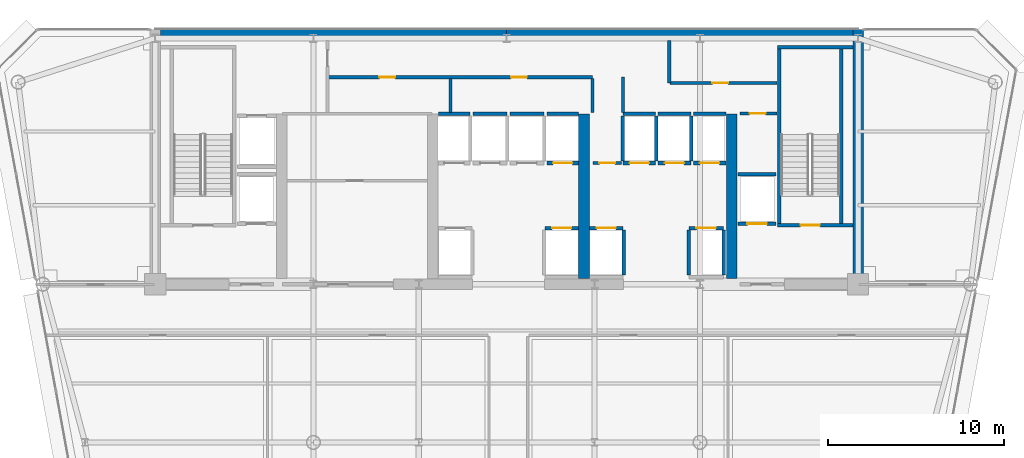
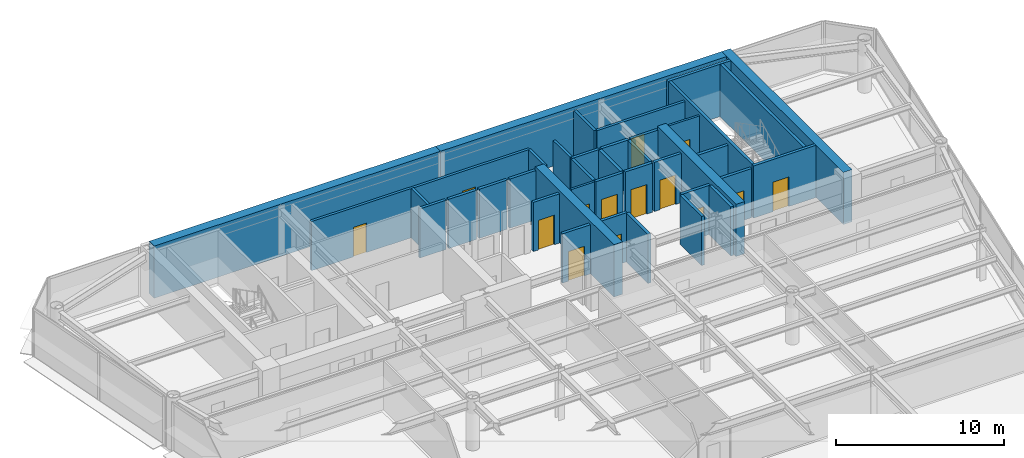
# One storey, part 10 of 15: 39 walls, 14 doors, 14 openings.
"""IFC4 building model written with IfcOpenShell, lengths in metres."""

from ifc_helpers import new_model, si_unit, direction, frame, frame_2d, origin, place, context, subcontext, project, spatial, rectangle, extrude, source, transform, mapped, material, layer, layer_set, type_object, element, fill, save


model = new_model("IFC4")

# Units and contexts
model_context = context("Model", 3, precision=1e-05, world=origin(), true_north=direction((0.0, 1.0)))
body_context = subcontext(model_context, "Body", "Model", "MODEL_VIEW")
ifc_project = project(units=[si_unit("LENGTHUNIT", "METRE"), si_unit("AREAUNIT", "SQUARE_METRE"), si_unit("VOLUMEUNIT", "CUBIC_METRE"), si_unit("PLANEANGLEUNIT", "RADIAN"), si_unit("MASSUNIT", "GRAM", prefix="KILO")], contexts=[model_context])

# Site, building, storey
site_placement = place(None, origin())
site = spatial("IfcSite", under=ifc_project, at=site_placement, CompositionType="ELEMENT")
building_placement = place(site_placement, origin())
building = spatial("IfcBuilding", under=site, at=building_placement, Name="Vaeldorn Concourse Tower", CompositionType="ELEMENT")
storey_placement = place(building_placement, frame((0.0, 0.0, 199.39990234375)))
storey = spatial("IfcBuildingStorey", under=building, at=storey_placement, Name="L51", CompositionType="ELEMENT", Elevation=199.39990234375)

# Walls
ifc_material_1 = material(Name="Concrete C50/60", Category="concrete")
ifc_layer_1 = layer(ifc_material_1, 0.60009765625)
ifc_layer_set_1 = layer_set([ifc_layer_1], Name="Concrete C50/60")
wall_type_1 = type_object("IfcWallType", Name="WL-CORE-600", PredefinedType="SHEAR", material=ifc_layer_set_1)
for number, where, z_axis, x_axis, name in (
    (1, (14.303955078125, 50.699951171875, 0.0), (0.0, 0.0, 1.0), (1.0, 0.0, 0.0), "Rear Core Shear Wall L51 N1"),
    (2, (34.001953125, 50.699951171875, 0.0), (0.0, 0.0, 1.0), (1.0, 0.0, 0.0), "Rear Core Shear Wall L51 N2"),
):
    element("IfcWall", number, at=place(storey_placement, frame(where, z_axis=z_axis, x_axis=x_axis)), inside=storey, type_object=wall_type_1, Name=name, PredefinedType="SHEAR", context=body_context, shape_type="SweptSolid", body=[
        extrude(rectangle(XDim=19.694091796875, YDim=0.60009765625, at=frame_2d((9.84716796875, 0.0))), origin(), (0.0, 0.0, 1.0), 3.800048828125),
    ])
wall_1_placement = place(storey_placement, frame((54.0, 36.5, 0.0), z_axis=(0.0, 0.0, 1.0), x_axis=(0.0, 1.0, 0.0)))
element("IfcWall", 3, at=wall_1_placement, inside=storey, type_object=wall_type_1, Name="Rear Core Shear Wall L51 E1", PredefinedType="SHEAR", context=body_context, shape_type="SweptSolid", body=[
    extrude(rectangle(XDim=14.5, YDim=0.60009765625, at=frame_2d((7.25, 0.0))), origin(), (0.0, 0.0, 1.0), 3.800048828125),
])
for number, where, z_axis, x_axis, name in (
    (4, (38.39990234375, 36.820068359375, 0.0), (0.0, 0.0, 1.0), (0.0, 1.0, 0.0), "Rear Core Shear Wall L51 M3"),
    (5, (46.800048828125, 36.820068359375, 0.0), (0.0, 0.0, 1.0), (0.0, 1.0, 0.0), "Rear Core Shear Wall L51 M4"),
):
    element("IfcWall", number, at=place(storey_placement, frame(where, z_axis=z_axis, x_axis=x_axis)), inside=storey, type_object=wall_type_1, Name=name, PredefinedType="SHEAR", context=body_context, shape_type="SweptSolid", body=[
        extrude(rectangle(XDim=9.3798828125, YDim=0.60009765625, at=frame_2d((4.68994140625, 0.0))), origin(), (0.0, 0.0, 1.0), 3.800048828125),
    ])

# Wall, opening, door
ifc_material_2 = material(Name="Gypsum Board Partition", Category="gypsum")
ifc_layer_2 = layer(ifc_material_2, 0.14990234375)
ifc_layer_set_2 = layer_set([ifc_layer_2], Name="Gypsum Board Partition")
wall_type_2 = type_object("IfcWallType", Name="WL-PART-150", PredefinedType="PARTITIONING", material=ifc_layer_set_2)
wall_2_placement = place(storey_placement, frame((47.280029296875, 46.219970703125, 0.0), z_axis=(0.0, 0.0, 1.0), x_axis=(1.0, 0.0, 0.0)))
wall_2 = element("IfcWall", 6, at=wall_2_placement, inside=storey, type_object=wall_type_2, Name="Interior Wall CW-L51-CRSE-N", PredefinedType="PARTITIONING", context=body_context, shape_type="SweptSolid", body=[
    extrude(rectangle(XDim=2.099853515625, YDim=0.14990234375, at=frame_2d((1.0498046875, 0.0))), origin(), (0.0, 0.0, 1.0), 3.580078125),
])
opening_1_placement = place(wall_2_placement, frame((0.550048828125, 0.0, 0.0)))
opening_1 = element("IfcOpeningElement", 7, at=opening_1_placement, cuts=wall_2, Name="Opening D-02", PredefinedType="OPENING", context=body_context, shape_type="SweptSolid", body=[
    extrude(rectangle(XDim=0.89990234375, YDim=2.10009765625, at=frame_2d((0.449951171875, 1.050048828125))), frame((0.0, 0.0849609375, 0.0), z_axis=(0.0, -1.0, 0.0), x_axis=(1.0, 0.0, 0.0)), (0.0, 0.0, 1.0), 0.169921875),
])
ifc_material_3 = material(Name="Fire-Rated Timber Leaf", Category="wood")
door_type_1 = type_object("IfcDoorType", Name="DR-FD30-900", OperationType="NOTDEFINED", PredefinedType="DOOR", material=ifc_material_3)
shared_shape_1 = source(origin(), body_context, "Body", "SweptSolid", [
    extrude(rectangle(XDim=0.89990234375, YDim=2.10009765625, at=frame_2d((0.449951171875, 1.050048828125))), frame((0.0, 0.02490234375, 0.0), z_axis=(0.0, -1.0, 0.0), x_axis=(1.0, 0.0, 0.0)), (0.0, 0.0, 1.0), 0.050048828125),
])
door_1_placement = place(opening_1_placement, origin())
door_1 = element("IfcDoor", 8, at=door_1_placement, inside=storey, type_object=door_type_1, Name="Interior Door DR-L51-CRSE", OperationType="SINGLE_SWING_RIGHT", OverallHeight=2.10009765625, OverallWidth=0.89990234375, PredefinedType="DOOR", context=body_context, shape_type="MappedRepresentation", body=[
    mapped(shared_shape_1, transform((0.0, 0.0, 0.0), scale=1.0)),
])
fill(opening_1, door_1)

wall_3_placement = place(storey_placement, frame((38.919921875, 43.39990234375, 0.0), z_axis=(0.0, 0.0, 1.0), x_axis=(1.0, 0.0, 0.0)))
wall_3 = element("IfcWall", 9, at=wall_3_placement, inside=storey, type_object=wall_type_2, Name="Interior Wall CW-L51-CCLINK", PredefinedType="PARTITIONING", context=body_context, shape_type="SweptSolid", body=[
    extrude(rectangle(XDim=1.60009765625, YDim=0.14990234375, at=frame_2d((0.800048828125, 0.0))), origin(), (0.0, 0.0, 1.0), 3.580078125),
])
opening_2_placement = place(wall_3_placement, frame((0.35009765625, 0.0, 0.0)))
opening_2 = element("IfcOpeningElement", 10, at=opening_2_placement, cuts=wall_3, Name="Opening D-02", PredefinedType="OPENING", context=body_context, shape_type="SweptSolid", body=[
    extrude(rectangle(XDim=0.89990234375, YDim=2.10009765625, at=frame_2d((0.449951171875, 1.050048828125))), frame((0.0, 0.0849609375, 0.0), z_axis=(0.0, -1.0, 0.0), x_axis=(1.0, 0.0, 0.0)), (0.0, 0.0, 1.0), 0.169921875),
])
door_2_placement = place(opening_2_placement, origin())
door_2 = element("IfcDoor", 11, at=door_2_placement, inside=storey, type_object=door_type_1, Name="Interior Door DR-L51-CCLINK", OperationType="SINGLE_SWING_LEFT", OverallHeight=2.10009765625, OverallWidth=0.89990234375, PredefinedType="DOOR", context=body_context, shape_type="MappedRepresentation", body=[
    mapped(shared_shape_1, transform((0.0, 0.0, 0.0), scale=1.0)),
])
fill(opening_2, door_2)

# Wall, openings, doors
ifc_layer_3 = layer(ifc_material_2, 0.179931640625)
ifc_layer_set_3 = layer_set([ifc_layer_3], Name="Gypsum Board Partition")
wall_type_3 = type_object("IfcWallType", Name="WL-PLUMB-180", PredefinedType="PLUMBINGWALL", material=ifc_layer_set_3)
wall_4_placement = place(storey_placement, frame((23.85009765625, 48.280029296875, 0.0), z_axis=(0.0, 0.0, 1.0), x_axis=(1.0, 0.0, 0.0)))
wall_4 = element("IfcWall", 12, at=wall_4_placement, inside=storey, type_object=wall_type_3, Name="Interior Wall CW-L51-NS2W", PredefinedType="PLUMBINGWALL", context=body_context, shape_type="SweptSolid", body=[
    extrude(rectangle(XDim=15.02978515625, YDim=0.179931640625, at=frame_2d((7.514892578125, 0.0))), origin(), (0.0, 0.0, 1.0), 3.580078125),
])
opening_3_placement = place(wall_4_placement, frame((2.89990234375, 0.0, 0.0)))
opening_3 = element("IfcOpeningElement", 13, at=opening_3_placement, cuts=wall_4, Name="Opening D-03", PredefinedType="OPENING", context=body_context, shape_type="SweptSolid", body=[
    extrude(rectangle(XDim=0.89990234375, YDim=2.14990234375, at=frame_2d((0.449951171875, 1.074951171875))), frame((0.0, 0.10009765625, 0.0), z_axis=(0.0, -1.0, 0.0), x_axis=(1.0, 0.0, 0.0)), (0.0, 0.0, 1.0), 0.199951171875),
])
opening_4_placement = place(wall_4_placement, frame((10.39990234375, 0.0, 0.0)))
opening_4 = element("IfcOpeningElement", 14, at=opening_4_placement, cuts=wall_4, Name="Opening D-03", PredefinedType="OPENING", context=body_context, shape_type="SweptSolid", body=[
    extrude(rectangle(XDim=0.89990234375, YDim=2.14990234375, at=frame_2d((0.449951171875, 1.074951171875))), frame((0.0, 0.10009765625, 0.0), z_axis=(0.0, -1.0, 0.0), x_axis=(1.0, 0.0, 0.0)), (0.0, 0.0, 1.0), 0.199951171875),
])
ifc_material_4 = material(Name="Acoustic Bronze-Framed Glass Door", Category="glass")
door_type_2 = type_object("IfcDoorType", Name="DR-INT-900", OperationType="NOTDEFINED", PredefinedType="DOOR", material=ifc_material_4)
shared_shape_2 = source(origin(), body_context, "Body", "SweptSolid", [
    extrude(rectangle(XDim=0.89990234375, YDim=2.14990234375, at=frame_2d((0.449951171875, 1.074951171875))), frame((0.0, 0.02490234375, 0.0), z_axis=(0.0, -1.0, 0.0), x_axis=(1.0, 0.0, 0.0)), (0.0, 0.0, 1.0), 0.050048828125),
])
door_3_placement = place(opening_3_placement, origin())
door_3 = element("IfcDoor", 15, at=door_3_placement, inside=storey, type_object=door_type_2, Name="Interior Door DR-L51-CS2", OperationType="SINGLE_SWING_RIGHT", OverallHeight=2.14990234375, OverallWidth=0.89990234375, PredefinedType="DOOR", context=body_context, shape_type="MappedRepresentation", body=[
    mapped(shared_shape_2, transform((0.0, 0.0, 0.0), scale=1.0)),
])
fill(opening_3, door_3)
door_4_placement = place(opening_4_placement, origin())
door_4 = element("IfcDoor", 16, at=door_4_placement, inside=storey, type_object=door_type_2, Name="Interior Door DR-L51-CS3", OperationType="SINGLE_SWING_LEFT", OverallHeight=2.14990234375, OverallWidth=0.89990234375, PredefinedType="DOOR", context=body_context, shape_type="MappedRepresentation", body=[
    mapped(shared_shape_2, transform((0.0, 0.0, 0.0), scale=1.0)),
])
fill(opening_4, door_4)

# Walls
for number, where, z_axis, x_axis, name in (
    (17, (30.800048828125, 46.280029296875, 0.0), (0.0, 0.0, 1.0), (0.0, 1.0, 0.0), "Interior Wall CW-L51-SDIV2"),
    (18, (38.8798828125, 46.280029296875, 0.0), (0.0, 0.0, 1.0), (0.0, 1.0, 0.0), "Interior Wall CW-L51-SDIV4"),
):
    element("IfcWall", number, at=place(storey_placement, frame(where, z_axis=z_axis, x_axis=x_axis)), inside=storey, type_object=wall_type_3, Name=name, PredefinedType="PLUMBINGWALL", context=body_context, shape_type="SweptSolid", body=[
        extrude(rectangle(XDim=1.93994140625, YDim=0.179931640625, at=frame_2d((0.969970703125, 0.0))), origin(), (0.0, 0.0, 1.0), 3.580078125),
    ])
wall_5_placement = place(storey_placement, frame((40.6201171875, 46.280029296875, 0.0), z_axis=(0.0, 0.0, 1.0), x_axis=(0.0, 1.0, 0.0)))
element("IfcWall", 19, at=wall_5_placement, inside=storey, type_object=wall_type_3, Name="Interior Wall CW-L51-SDIV5", PredefinedType="PLUMBINGWALL", context=body_context, shape_type="SweptSolid", body=[
    extrude(rectangle(XDim=2.0, YDim=0.179931640625, at=frame_2d((1.0, 0.0))), origin(), (0.0, 0.0, 1.0), 3.580078125),
])
wall_6_placement = place(storey_placement, frame((43.25, 47.949951171875, 0.0), z_axis=(0.0, 0.0, 1.0), x_axis=(0.0, 1.0, 0.0)))
element("IfcWall", 20, at=wall_6_placement, inside=storey, type_object=wall_type_3, Name="Interior Wall CW-L51-SDIV6", PredefinedType="PLUMBINGWALL", context=body_context, shape_type="SweptSolid", body=[
    extrude(rectangle(XDim=2.429931640625, YDim=0.179931640625, at=frame_2d((1.21484375, 0.0))), origin(), (0.0, 0.0, 1.0), 3.580078125),
])

# Wall, opening, door
wall_7_placement = place(storey_placement, frame((43.300048828125, 47.949951171875, 0.0), z_axis=(0.0, 0.0, 1.0), x_axis=(1.0, 0.0, 0.0)))
wall_7 = element("IfcWall", 21, at=wall_7_placement, inside=storey, type_object=wall_type_3, Name="Interior Wall CW-L51-NS2EE", PredefinedType="PLUMBINGWALL", context=body_context, shape_type="SweptSolid", body=[
    extrude(rectangle(XDim=6.079833984375, YDim=0.179931640625, at=frame_2d((3.0400390625, 0.0))), origin(), (0.0, 0.0, 1.0), 3.580078125),
])
opening_5_placement = place(wall_7_placement, frame((2.39990234375, 0.0, 0.0)))
opening_5 = element("IfcOpeningElement", 22, at=opening_5_placement, cuts=wall_7, Name="Opening D-03", PredefinedType="OPENING", context=body_context, shape_type="SweptSolid", body=[
    extrude(rectangle(XDim=0.89990234375, YDim=2.14990234375, at=frame_2d((0.449951171875, 1.074951171875))), frame((0.0, 0.10009765625, 0.0), z_axis=(0.0, -1.0, 0.0), x_axis=(1.0, 0.0, 0.0)), (0.0, 0.0, 1.0), 0.199951171875),
])
door_5_placement = place(opening_5_placement, origin())
door_5 = element("IfcDoor", 23, at=door_5_placement, inside=storey, type_object=door_type_2, Name="Interior Door DR-L51-CS5", OperationType="SINGLE_SWING_RIGHT", OverallHeight=2.14990234375, OverallWidth=0.89990234375, PredefinedType="DOOR", context=body_context, shape_type="MappedRepresentation", body=[
    mapped(shared_shape_2, transform((0.0, 0.0, 0.0), scale=1.0)),
])
fill(opening_5, door_5)

ifc_layer_4 = layer(ifc_material_1, 0.199951171875)
ifc_layer_set_4 = layer_set([ifc_layer_4], Name="Concrete C50/60")
wall_type_4 = type_object("IfcWallType", Name="WL-SHAFT-200", PredefinedType="SOLIDWALL", material=ifc_layer_set_4)
wall_8_placement = place(storey_placement, frame((49.39990234375, 39.85009765625, 0.0), z_axis=(0.0, 0.0, 1.0), x_axis=(1.0, 0.0, 0.0)))
wall_8 = element("IfcWall", 24, at=wall_8_placement, inside=storey, type_object=wall_type_4, Name="Stair Shaft Wall CW-L51-ST-2-S", PredefinedType="SOLIDWALL", context=body_context, shape_type="SweptSolid", body=[
    extrude(rectangle(XDim=4.300048828125, YDim=0.199951171875, at=frame_2d((2.14990234375, 0.0))), origin(), (0.0, 0.0, 1.0), 3.800048828125),
])
opening_6_placement = place(wall_8_placement, frame((1.324951171875, 0.0, 0.0)))
opening_6 = element("IfcOpeningElement", 25, at=opening_6_placement, cuts=wall_8, Name="Opening D-01", PredefinedType="OPENING", context=body_context, shape_type="SweptSolid", body=[
    extrude(rectangle(XDim=1.10009765625, YDim=2.14990234375, at=frame_2d((0.550048828125, 1.074951171875))), frame((0.0, 0.10986328125, 0.0), z_axis=(0.0, -1.0, 0.0), x_axis=(1.0, 0.0, 0.0)), (0.0, 0.0, 1.0), 0.219970703125),
])
ifc_material_5 = material(Name="Fire-Rated Timber and Steel Leaf", Category="steel")
door_type_3 = type_object("IfcDoorType", Name="DR-FD60-1100", OperationType="NOTDEFINED", PredefinedType="DOOR", material=ifc_material_5)
shared_shape_3 = source(origin(), body_context, "Body", "SweptSolid", [
    extrude(rectangle(XDim=1.10009765625, YDim=2.14990234375, at=frame_2d((0.550048828125, 1.074951171875))), frame((0.0, 0.02490234375, 0.0), z_axis=(0.0, -1.0, 0.0), x_axis=(1.0, 0.0, 0.0)), (0.0, 0.0, 1.0), 0.050048828125),
])
door_6_placement = place(opening_6_placement, origin())
door_6 = element("IfcDoor", 26, at=door_6_placement, inside=storey, type_object=door_type_3, Name="Interior Door DR-L51-ST-2", OperationType="SINGLE_SWING_RIGHT", OverallHeight=2.14990234375, OverallWidth=1.10009765625, PredefinedType="DOOR", context=body_context, shape_type="MappedRepresentation", body=[
    mapped(shared_shape_3, transform((0.0, 0.0, 0.0), scale=1.0)),
])
fill(opening_6, door_6)

# Walls
wall_9_placement = place(storey_placement, frame((49.39990234375, 50.0, 0.0), z_axis=(0.0, 0.0, 1.0), x_axis=(1.0, 0.0, 0.0)))
element("IfcWall", 27, at=wall_9_placement, inside=storey, type_object=wall_type_4, Name="Stair Shaft Wall CW-L51-ST-2-N", PredefinedType="SOLIDWALL", context=body_context, shape_type="SweptSolid", body=[
    extrude(rectangle(XDim=4.300048828125, YDim=0.199951171875, at=frame_2d((2.14990234375, 0.0))), origin(), (0.0, 0.0, 1.0), 3.800048828125),
])
for number, where, z_axis, x_axis, name in (
    (28, (49.5, 39.9599609375, 0.0), (0.0, 0.0, 1.0), (0.0, 1.0, 0.0), "Stair Shaft Wall CW-L51-ST-2-W"),
    (29, (53.050048828125, 39.9599609375, 0.0), (0.0, 0.0, 1.0), (0.0, 1.0, 0.0), "Stair Shaft Wall CW-L51-ST-2-E"),
):
    element("IfcWall", number, at=place(storey_placement, frame(where, z_axis=z_axis, x_axis=x_axis)), inside=storey, type_object=wall_type_4, Name=name, PredefinedType="SOLIDWALL", context=body_context, shape_type="SweptSolid", body=[
        extrude(rectangle(XDim=9.929931640625, YDim=0.199951171875, at=frame_2d((4.96484375, 0.0))), origin(), (0.0, 0.0, 1.0), 3.800048828125),
    ])

# Wall, opening, door
wall_10_placement = place(storey_placement, frame((36.169921875, 39.699951171875, 0.0), z_axis=(0.0, 0.0, 1.0), x_axis=(1.0, 0.0, 0.0)))
wall_10 = element("IfcWall", 30, at=wall_10_placement, inside=storey, type_object=wall_type_4, Name="Interior Wall CW-L51-LF-LF-08", PredefinedType="SOLIDWALL", context=body_context, shape_type="SweptSolid", body=[
    extrude(rectangle(XDim=1.920166015625, YDim=0.199951171875, at=frame_2d((0.9599609375, 0.0))), origin(), (0.0, 0.0, 1.0), 3.580078125),
])
opening_7_placement = place(wall_10_placement, frame((0.409912109375, 0.0, 0.0)))
opening_7 = element("IfcOpeningElement", 31, at=opening_7_placement, cuts=wall_10, Name="Opening LD-1", PredefinedType="OPENING", context=body_context, shape_type="SweptSolid", body=[
    extrude(rectangle(XDim=1.10009765625, YDim=2.14990234375, at=frame_2d((0.550048828125, 1.074951171875))), frame((0.0, 0.10986328125, 0.0), z_axis=(0.0, -1.0, 0.0), x_axis=(1.0, 0.0, 0.0)), (0.0, 0.0, 1.0), 0.219970703125),
])
ifc_material_6 = material(Name="Anodised Bronze Aluminium", Category="aluminium")
door_type_4 = type_object("IfcDoorType", Name="DR-LIFT-SLIDE-1100", OperationType="DOUBLE_DOOR_SLIDING", PredefinedType="DOOR", material=ifc_material_6)
door_7_placement = place(opening_7_placement, origin())
door_7 = element("IfcDoor", 32, at=door_7_placement, inside=storey, type_object=door_type_4, Name="Lift Landing Door LD-L51-LF-08", OperationType="DOUBLE_DOOR_SLIDING", OverallHeight=2.14990234375, OverallWidth=1.10009765625, PredefinedType="DOOR", context=body_context, shape_type="MappedRepresentation", body=[
    mapped(shared_shape_3, transform((0.0, 0.0, 0.0), scale=1.0)),
])
fill(opening_7, door_7)

# Walls
wall_11_placement = place(storey_placement, frame((30.110107421875, 46.199951171875, 0.0), z_axis=(0.0, 0.0, 1.0), x_axis=(1.0, 0.0, 0.0)))
element("IfcWall", 33, at=wall_11_placement, inside=storey, type_object=wall_type_4, Name="Interior Wall CW-L51-LFB-LF-09", PredefinedType="SOLIDWALL", context=body_context, shape_type="SweptSolid", body=[
    extrude(rectangle(XDim=1.7998046875, YDim=0.199951171875, at=frame_2d((0.89990234375, 0.0))), origin(), (0.0, 0.0, 1.0), 3.580078125),
])
wall_12_placement = place(storey_placement, frame((32.090087890625, 46.199951171875, 0.0), z_axis=(0.0, 0.0, 1.0), x_axis=(1.0, 0.0, 0.0)))
element("IfcWall", 34, at=wall_12_placement, inside=storey, type_object=wall_type_4, Name="Interior Wall CW-L51-LFB-LF-10", PredefinedType="SOLIDWALL", context=body_context, shape_type="SweptSolid", body=[
    extrude(rectangle(XDim=1.919921875, YDim=0.199951171875, at=frame_2d((0.9599609375, 0.0))), origin(), (0.0, 0.0, 1.0), 3.580078125),
])
wall_13_placement = place(storey_placement, frame((34.18994140625, 46.199951171875, 0.0), z_axis=(0.0, 0.0, 1.0), x_axis=(1.0, 0.0, 0.0)))
element("IfcWall", 35, at=wall_13_placement, inside=storey, type_object=wall_type_4, Name="Interior Wall CW-L51-LFB-LF-11", PredefinedType="SOLIDWALL", context=body_context, shape_type="SweptSolid", body=[
    extrude(rectangle(XDim=1.920166015625, YDim=0.199951171875, at=frame_2d((0.9599609375, 0.0))), origin(), (0.0, 0.0, 1.0), 3.580078125),
])

# Wall, opening, door
wall_14_placement = place(storey_placement, frame((36.2900390625, 43.39990234375, 0.0), z_axis=(0.0, 0.0, 1.0), x_axis=(1.0, 0.0, 0.0)))
wall_14 = element("IfcWall", 36, at=wall_14_placement, inside=storey, type_object=wall_type_4, Name="Interior Wall CW-L51-LF-LF-12", PredefinedType="SOLIDWALL", context=body_context, shape_type="SweptSolid", body=[
    extrude(rectangle(XDim=1.800048828125, YDim=0.199951171875, at=frame_2d((0.89990234375, 0.0))), origin(), (0.0, 0.0, 1.0), 3.580078125),
])
opening_8_placement = place(wall_14_placement, frame((0.35009765625, 0.0, 0.0)))
opening_8 = element("IfcOpeningElement", 37, at=opening_8_placement, cuts=wall_14, Name="Opening LD-1", PredefinedType="OPENING", context=body_context, shape_type="SweptSolid", body=[
    extrude(rectangle(XDim=1.10009765625, YDim=2.14990234375, at=frame_2d((0.550048828125, 1.074951171875))), frame((0.0, 0.10986328125, 0.0), z_axis=(0.0, -1.0, 0.0), x_axis=(1.0, 0.0, 0.0)), (0.0, 0.0, 1.0), 0.219970703125),
])
door_8_placement = place(opening_8_placement, origin())
door_8 = element("IfcDoor", 38, at=door_8_placement, inside=storey, type_object=door_type_4, Name="Lift Landing Door LD-L51-LF-12", OperationType="DOUBLE_DOOR_SLIDING", OverallHeight=2.14990234375, OverallWidth=1.10009765625, PredefinedType="DOOR", context=body_context, shape_type="MappedRepresentation", body=[
    mapped(shared_shape_3, transform((0.0, 0.0, 0.0), scale=1.0)),
])
fill(opening_8, door_8)

# Wall
wall_15_placement = place(storey_placement, frame((36.2900390625, 46.199951171875, 0.0), z_axis=(0.0, 0.0, 1.0), x_axis=(1.0, 0.0, 0.0)))
element("IfcWall", 39, at=wall_15_placement, inside=storey, type_object=wall_type_4, Name="Interior Wall CW-L51-LFB-LF-12", PredefinedType="SOLIDWALL", context=body_context, shape_type="SweptSolid", body=[
    extrude(rectangle(XDim=1.800048828125, YDim=0.199951171875, at=frame_2d((0.89990234375, 0.0))), origin(), (0.0, 0.0, 1.0), 3.580078125),
])

# Wall, opening, door
wall_16_placement = place(storey_placement, frame((38.7099609375, 39.699951171875, 0.0), z_axis=(0.0, 0.0, 1.0), x_axis=(1.0, 0.0, 0.0)))
wall_16 = element("IfcWall", 40, at=wall_16_placement, inside=storey, type_object=wall_type_4, Name="Interior Wall CW-L51-LF-LF-13", PredefinedType="SOLIDWALL", context=body_context, shape_type="SweptSolid", body=[
    extrude(rectangle(XDim=1.919921875, YDim=0.199951171875, at=frame_2d((0.9599609375, 0.0))), origin(), (0.0, 0.0, 1.0), 3.580078125),
])
opening_9_placement = place(wall_16_placement, frame((0.409912109375, 0.0, 0.0)))
opening_9 = element("IfcOpeningElement", 41, at=opening_9_placement, cuts=wall_16, Name="Opening LD-1", PredefinedType="OPENING", context=body_context, shape_type="SweptSolid", body=[
    extrude(rectangle(XDim=1.10009765625, YDim=2.14990234375, at=frame_2d((0.550048828125, 1.074951171875))), frame((0.0, 0.10986328125, 0.0), z_axis=(0.0, -1.0, 0.0), x_axis=(1.0, 0.0, 0.0)), (0.0, 0.0, 1.0), 0.219970703125),
])
door_9_placement = place(opening_9_placement, origin())
door_9 = element("IfcDoor", 42, at=door_9_placement, inside=storey, type_object=door_type_4, Name="Lift Landing Door LD-L51-LF-13", OperationType="DOUBLE_DOOR_SLIDING", OverallHeight=2.14990234375, OverallWidth=1.10009765625, PredefinedType="DOOR", context=body_context, shape_type="MappedRepresentation", body=[
    mapped(shared_shape_3, transform((0.0, 0.0, 0.0), scale=1.0)),
])
fill(opening_9, door_9)

# Wall
wall_17_placement = place(storey_placement, frame((40.64990234375, 37.02001953125, 0.0), z_axis=(0.0, 0.0, 1.0), x_axis=(0.0, 1.0, 0.0)))
element("IfcWall", 43, at=wall_17_placement, inside=storey, type_object=wall_type_4, Name="Interior Wall CW-L51-LFE-LF-13", PredefinedType="SOLIDWALL", context=body_context, shape_type="SweptSolid", body=[
    extrude(rectangle(XDim=2.56005859375, YDim=0.199951171875, at=frame_2d((1.280029296875, 0.0))), origin(), (0.0, 0.0, 1.0), 3.580078125),
])

# Wall, opening, door
wall_18_placement = place(storey_placement, frame((44.3701171875, 39.699951171875, 0.0), z_axis=(0.0, 0.0, 1.0), x_axis=(1.0, 0.0, 0.0)))
wall_18 = element("IfcWall", 44, at=wall_18_placement, inside=storey, type_object=wall_type_4, Name="Interior Wall CW-L51-LF-LF-14", PredefinedType="SOLIDWALL", context=body_context, shape_type="SweptSolid", body=[
    extrude(rectangle(XDim=1.9599609375, YDim=0.199951171875, at=frame_2d((0.97998046875, 0.0))), origin(), (0.0, 0.0, 1.0), 3.580078125),
])
opening_10_placement = place(wall_18_placement, frame((0.429931640625, 0.0, 0.0)))
opening_10 = element("IfcOpeningElement", 45, at=opening_10_placement, cuts=wall_18, Name="Opening LD-1", PredefinedType="OPENING", context=body_context, shape_type="SweptSolid", body=[
    extrude(rectangle(XDim=1.10009765625, YDim=2.14990234375, at=frame_2d((0.550048828125, 1.074951171875))), frame((0.0, 0.10986328125, 0.0), z_axis=(0.0, -1.0, 0.0), x_axis=(1.0, 0.0, 0.0)), (0.0, 0.0, 1.0), 0.219970703125),
])
door_10_placement = place(opening_10_placement, origin())
door_10 = element("IfcDoor", 46, at=door_10_placement, inside=storey, type_object=door_type_4, Name="Lift Landing Door LD-L51-LF-14", OperationType="DOUBLE_DOOR_SLIDING", OverallHeight=2.14990234375, OverallWidth=1.10009765625, PredefinedType="DOOR", context=body_context, shape_type="MappedRepresentation", body=[
    mapped(shared_shape_3, transform((0.0, 0.0, 0.0), scale=1.0)),
])
fill(opening_10, door_10)

# Walls
for number, where, z_axis, x_axis, name in (
    (47, (44.35009765625, 37.02001953125, 0.0), (0.0, 0.0, 1.0), (0.0, 1.0, 0.0), "Interior Wall CW-L51-LFW-LF-14"),
    (48, (46.35009765625, 37.02001953125, 0.0), (0.0, 0.0, 1.0), (0.0, 1.0, 0.0), "Interior Wall CW-L51-LFE-LF-14"),
):
    element("IfcWall", number, at=place(storey_placement, frame(where, z_axis=z_axis, x_axis=x_axis)), inside=storey, type_object=wall_type_4, Name=name, PredefinedType="SOLIDWALL", context=body_context, shape_type="SweptSolid", body=[
        extrude(rectangle(XDim=2.56005859375, YDim=0.199951171875, at=frame_2d((1.280029296875, 0.0))), origin(), (0.0, 0.0, 1.0), 3.580078125),
    ])

# Wall, opening, door
wall_19_placement = place(storey_placement, frame((40.6201171875, 43.39990234375, 0.0), z_axis=(0.0, 0.0, 1.0), x_axis=(1.0, 0.0, 0.0)))
wall_19 = element("IfcWall", 49, at=wall_19_placement, inside=storey, type_object=wall_type_4, Name="Interior Wall CW-L51-LF-LF-15", PredefinedType="SOLIDWALL", context=body_context, shape_type="SweptSolid", body=[
    extrude(rectangle(XDim=1.85986328125, YDim=0.199951171875, at=frame_2d((0.929931640625, 0.0))), origin(), (0.0, 0.0, 1.0), 3.580078125),
])
opening_11_placement = place(wall_19_placement, frame((0.3798828125, 0.0, 0.0)))
opening_11 = element("IfcOpeningElement", 50, at=opening_11_placement, cuts=wall_19, Name="Opening LD-1", PredefinedType="OPENING", context=body_context, shape_type="SweptSolid", body=[
    extrude(rectangle(XDim=1.10009765625, YDim=2.14990234375, at=frame_2d((0.550048828125, 1.074951171875))), frame((0.0, 0.10986328125, 0.0), z_axis=(0.0, -1.0, 0.0), x_axis=(1.0, 0.0, 0.0)), (0.0, 0.0, 1.0), 0.219970703125),
])
door_11_placement = place(opening_11_placement, origin())
door_11 = element("IfcDoor", 51, at=door_11_placement, inside=storey, type_object=door_type_4, Name="Lift Landing Door LD-L51-LF-15", OperationType="DOUBLE_DOOR_SLIDING", OverallHeight=2.14990234375, OverallWidth=1.10009765625, PredefinedType="DOOR", context=body_context, shape_type="MappedRepresentation", body=[
    mapped(shared_shape_3, transform((0.0, 0.0, 0.0), scale=1.0)),
])
fill(opening_11, door_11)

# Walls
wall_20_placement = place(storey_placement, frame((40.6201171875, 46.199951171875, 0.0), z_axis=(0.0, 0.0, 1.0), x_axis=(1.0, 0.0, 0.0)))
element("IfcWall", 52, at=wall_20_placement, inside=storey, type_object=wall_type_4, Name="Interior Wall CW-L51-LFB-LF-15", PredefinedType="SOLIDWALL", context=body_context, shape_type="SweptSolid", body=[
    extrude(rectangle(XDim=1.85986328125, YDim=0.199951171875, at=frame_2d((0.929931640625, 0.0))), origin(), (0.0, 0.0, 1.0), 3.580078125),
])
for number, where, z_axis, x_axis, name in (
    (53, (40.60009765625, 43.52001953125, 0.0), (0.0, 0.0, 1.0), (0.0, 1.0, 0.0), "Interior Wall CW-L51-LFW-LF-15"),
    (54, (42.5, 43.52001953125, 0.0), (0.0, 0.0, 1.0), (0.0, 1.0, 0.0), "Interior Wall CW-L51-LFE-LF-15"),
):
    element("IfcWall", number, at=place(storey_placement, frame(where, z_axis=z_axis, x_axis=x_axis)), inside=storey, type_object=wall_type_4, Name=name, PredefinedType="SOLIDWALL", context=body_context, shape_type="SweptSolid", body=[
        extrude(rectangle(XDim=2.56005859375, YDim=0.199951171875, at=frame_2d((1.280029296875, 0.0))), origin(), (0.0, 0.0, 1.0), 3.580078125),
    ])

# Wall, opening, door
wall_21_placement = place(storey_placement, frame((42.6201171875, 43.39990234375, 0.0), z_axis=(0.0, 0.0, 1.0), x_axis=(1.0, 0.0, 0.0)))
wall_21 = element("IfcWall", 55, at=wall_21_placement, inside=storey, type_object=wall_type_4, Name="Interior Wall CW-L51-LF-LF-16", PredefinedType="SOLIDWALL", context=body_context, shape_type="SweptSolid", body=[
    extrude(rectangle(XDim=1.85986328125, YDim=0.199951171875, at=frame_2d((0.929931640625, 0.0))), origin(), (0.0, 0.0, 1.0), 3.580078125),
])
opening_12_placement = place(wall_21_placement, frame((0.3798828125, 0.0, 0.0)))
opening_12 = element("IfcOpeningElement", 56, at=opening_12_placement, cuts=wall_21, Name="Opening LD-1", PredefinedType="OPENING", context=body_context, shape_type="SweptSolid", body=[
    extrude(rectangle(XDim=1.10009765625, YDim=2.14990234375, at=frame_2d((0.550048828125, 1.074951171875))), frame((0.0, 0.10986328125, 0.0), z_axis=(0.0, -1.0, 0.0), x_axis=(1.0, 0.0, 0.0)), (0.0, 0.0, 1.0), 0.219970703125),
])
door_12_placement = place(opening_12_placement, origin())
door_12 = element("IfcDoor", 57, at=door_12_placement, inside=storey, type_object=door_type_4, Name="Lift Landing Door LD-L51-LF-16", OperationType="DOUBLE_DOOR_SLIDING", OverallHeight=2.14990234375, OverallWidth=1.10009765625, PredefinedType="DOOR", context=body_context, shape_type="MappedRepresentation", body=[
    mapped(shared_shape_3, transform((0.0, 0.0, 0.0), scale=1.0)),
])
fill(opening_12, door_12)

# Walls
wall_22_placement = place(storey_placement, frame((42.6201171875, 46.199951171875, 0.0), z_axis=(0.0, 0.0, 1.0), x_axis=(1.0, 0.0, 0.0)))
element("IfcWall", 58, at=wall_22_placement, inside=storey, type_object=wall_type_4, Name="Interior Wall CW-L51-LFB-LF-16", PredefinedType="SOLIDWALL", context=body_context, shape_type="SweptSolid", body=[
    extrude(rectangle(XDim=1.85986328125, YDim=0.199951171875, at=frame_2d((0.929931640625, 0.0))), origin(), (0.0, 0.0, 1.0), 3.580078125),
])
wall_23_placement = place(storey_placement, frame((44.5, 43.52001953125, 0.0), z_axis=(0.0, 0.0, 1.0), x_axis=(0.0, 1.0, 0.0)))
element("IfcWall", 59, at=wall_23_placement, inside=storey, type_object=wall_type_4, Name="Interior Wall CW-L51-LFE-LF-16", PredefinedType="SOLIDWALL", context=body_context, shape_type="SweptSolid", body=[
    extrude(rectangle(XDim=2.56005859375, YDim=0.199951171875, at=frame_2d((1.280029296875, 0.0))), origin(), (0.0, 0.0, 1.0), 3.580078125),
])

# Wall, opening, door
wall_24_placement = place(storey_placement, frame((44.6201171875, 43.39990234375, 0.0), z_axis=(0.0, 0.0, 1.0), x_axis=(1.0, 0.0, 0.0)))
wall_24 = element("IfcWall", 60, at=wall_24_placement, inside=storey, type_object=wall_type_4, Name="Interior Wall CW-L51-LF-LF-17", PredefinedType="SOLIDWALL", context=body_context, shape_type="SweptSolid", body=[
    extrude(rectangle(XDim=1.85986328125, YDim=0.199951171875, at=frame_2d((0.929931640625, 0.0))), origin(), (0.0, 0.0, 1.0), 3.580078125),
])
opening_13_placement = place(wall_24_placement, frame((0.3798828125, 0.0, 0.0)))
opening_13 = element("IfcOpeningElement", 61, at=opening_13_placement, cuts=wall_24, Name="Opening LD-1", PredefinedType="OPENING", context=body_context, shape_type="SweptSolid", body=[
    extrude(rectangle(XDim=1.10009765625, YDim=2.14990234375, at=frame_2d((0.550048828125, 1.074951171875))), frame((0.0, 0.10986328125, 0.0), z_axis=(0.0, -1.0, 0.0), x_axis=(1.0, 0.0, 0.0)), (0.0, 0.0, 1.0), 0.219970703125),
])
door_13_placement = place(opening_13_placement, origin())
door_13 = element("IfcDoor", 62, at=door_13_placement, inside=storey, type_object=door_type_4, Name="Lift Landing Door LD-L51-LF-17", OperationType="DOUBLE_DOOR_SLIDING", OverallHeight=2.14990234375, OverallWidth=1.10009765625, PredefinedType="DOOR", context=body_context, shape_type="MappedRepresentation", body=[
    mapped(shared_shape_3, transform((0.0, 0.0, 0.0), scale=1.0)),
])
fill(opening_13, door_13)

# Wall
wall_25_placement = place(storey_placement, frame((44.6201171875, 46.199951171875, 0.0), z_axis=(0.0, 0.0, 1.0), x_axis=(1.0, 0.0, 0.0)))
element("IfcWall", 63, at=wall_25_placement, inside=storey, type_object=wall_type_4, Name="Interior Wall CW-L51-LFB-LF-17", PredefinedType="SOLIDWALL", context=body_context, shape_type="SweptSolid", body=[
    extrude(rectangle(XDim=1.85986328125, YDim=0.199951171875, at=frame_2d((0.929931640625, 0.0))), origin(), (0.0, 0.0, 1.0), 3.580078125),
])

# Wall, opening, door
wall_26_placement = place(storey_placement, frame((47.169921875, 39.949951171875, 0.0), z_axis=(0.0, 0.0, 1.0), x_axis=(1.0, 0.0, 0.0)))
wall_26 = element("IfcWall", 64, at=wall_26_placement, inside=storey, type_object=wall_type_4, Name="Interior Wall CW-L51-LF-LF-FF2", PredefinedType="SOLIDWALL", context=body_context, shape_type="SweptSolid", body=[
    extrude(rectangle(XDim=2.16015625, YDim=0.199951171875, at=frame_2d((1.080078125, 0.0))), origin(), (0.0, 0.0, 1.0), 3.580078125),
])
opening_14_placement = place(wall_26_placement, frame((0.530029296875, 0.0, 0.0)))
opening_14 = element("IfcOpeningElement", 65, at=opening_14_placement, cuts=wall_26, Name="Opening LD-1", PredefinedType="OPENING", context=body_context, shape_type="SweptSolid", body=[
    extrude(rectangle(XDim=1.10009765625, YDim=2.14990234375, at=frame_2d((0.550048828125, 1.074951171875))), frame((0.0, 0.10986328125, 0.0), z_axis=(0.0, -1.0, 0.0), x_axis=(1.0, 0.0, 0.0)), (0.0, 0.0, 1.0), 0.219970703125),
])
door_14_placement = place(opening_14_placement, origin())
door_14 = element("IfcDoor", 66, at=door_14_placement, inside=storey, type_object=door_type_4, Name="Lift Landing Door LD-L51-LF-FF2", OperationType="DOUBLE_DOOR_SLIDING", OverallHeight=2.14990234375, OverallWidth=1.10009765625, PredefinedType="DOOR", context=body_context, shape_type="MappedRepresentation", body=[
    mapped(shared_shape_3, transform((0.0, 0.0, 0.0), scale=1.0)),
])
fill(opening_14, door_14)

# Wall
wall_27_placement = place(storey_placement, frame((47.169921875, 42.75, 0.0), z_axis=(0.0, 0.0, 1.0), x_axis=(1.0, 0.0, 0.0)))
element("IfcWall", 67, at=wall_27_placement, inside=storey, type_object=wall_type_4, Name="Interior Wall CW-L51-LFB-LF-FF2", PredefinedType="SOLIDWALL", context=body_context, shape_type="SweptSolid", body=[
    extrude(rectangle(XDim=2.16015625, YDim=0.199951171875, at=frame_2d((1.080078125, 0.0))), origin(), (0.0, 0.0, 1.0), 3.580078125),
])

save(model, "model.ifc")
